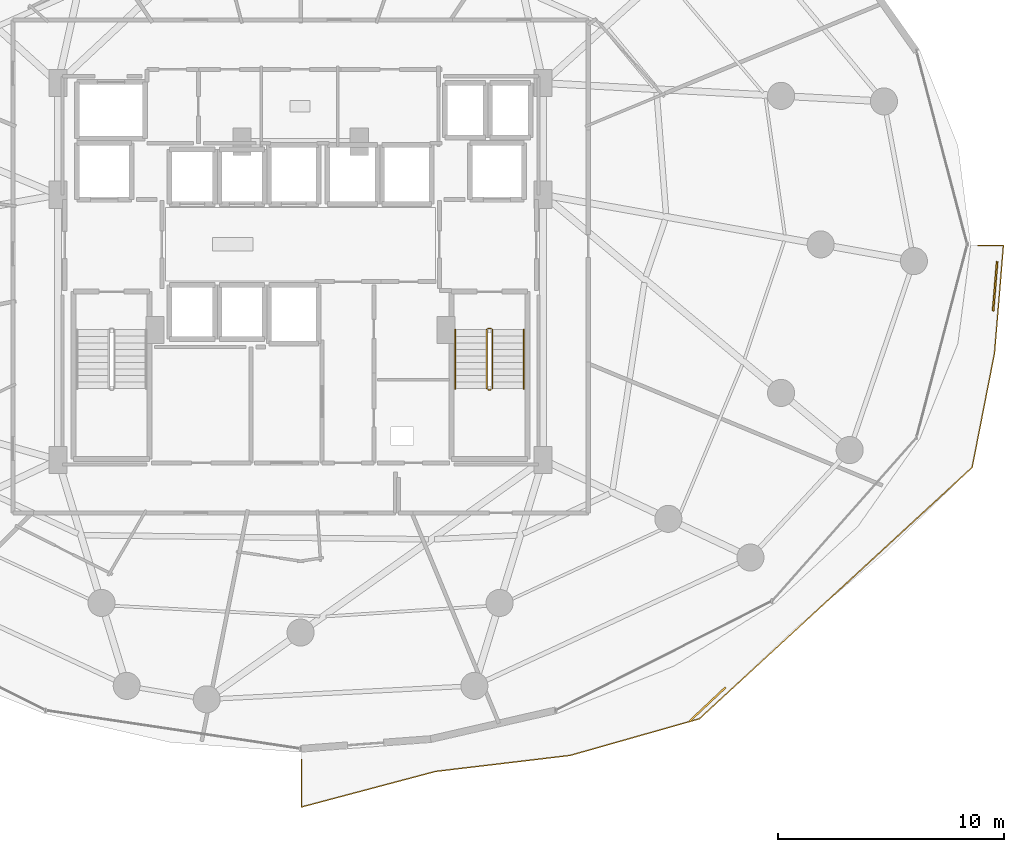
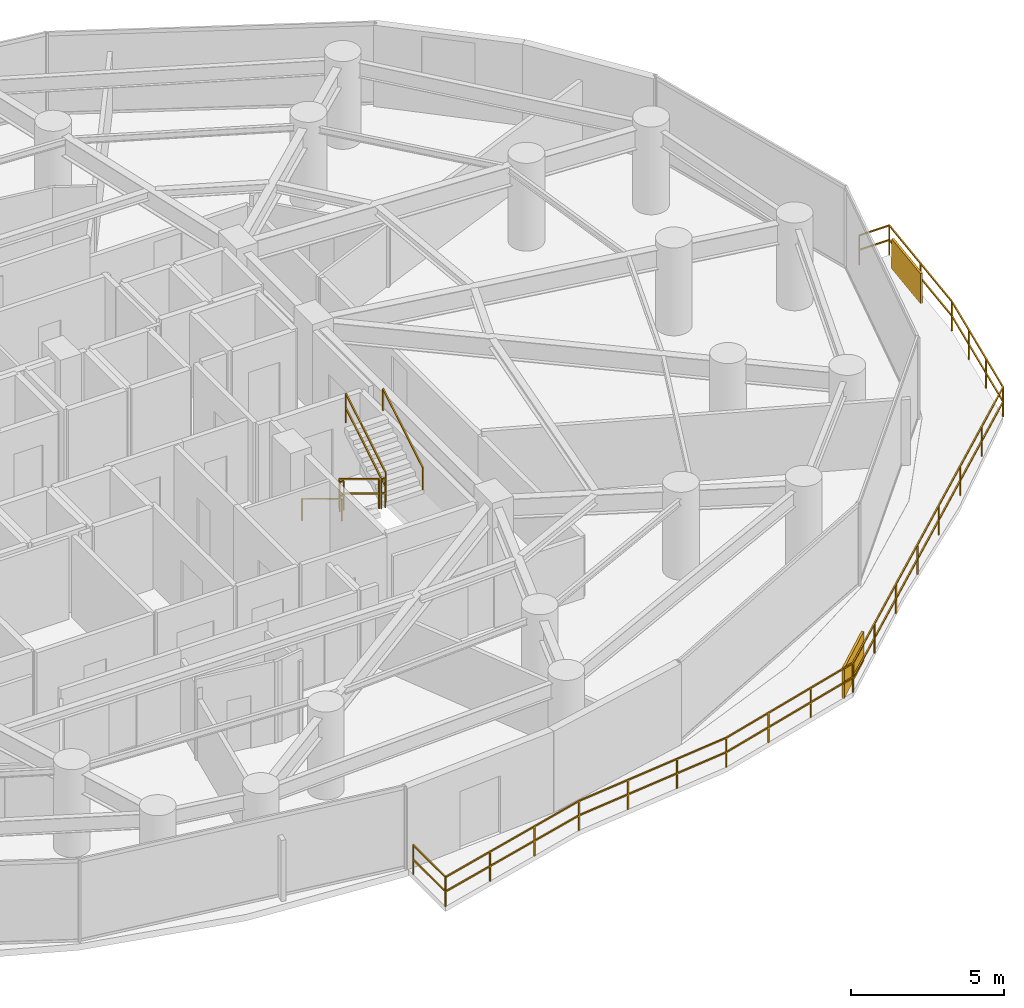
# One storey, part 33 of 35: 8 railings, 2 shading devices.
"""IFC4 building model written with IfcOpenShell, lengths in metres."""

from ifc_helpers import new_model, si_unit, direction, frame, origin, origin_2d, place, context, subcontext, project, spatial, rectangle, extrude, material, type_object, element, save


model = new_model("IFC4")

# Units and contexts
model_context = context("Model", 3, precision=1e-05, world=origin(), true_north=direction((0.0, 1.0)))
body_context = subcontext(model_context, "Body", "Model", "MODEL_VIEW")
ifc_project = project(units=[si_unit("LENGTHUNIT", "METRE"), si_unit("AREAUNIT", "SQUARE_METRE"), si_unit("VOLUMEUNIT", "CUBIC_METRE"), si_unit("PLANEANGLEUNIT", "RADIAN"), si_unit("MASSUNIT", "GRAM", prefix="KILO")], contexts=[model_context])

# Site, building, storey
site_placement = place(None, origin())
site = spatial("IfcSite", under=ifc_project, at=site_placement, CompositionType="ELEMENT")
building_placement = place(site_placement, origin())
building = spatial("IfcBuilding", under=site, at=building_placement, Name="Vorneva Point Tower", CompositionType="ELEMENT")
storey_placement = place(building_placement, frame((0.0, 0.0, 52.0)))
storey = spatial("IfcBuildingStorey", under=building, at=storey_placement, Name="L13", CompositionType="ELEMENT", Elevation=52.0)

# Railings
ifc_material_1 = material(Name="Pale anodised aluminium", Category="aluminium")
railing_type_1 = type_object("IfcRailingType", Name="RL-BAL-1200", PredefinedType="BALUSTRADE", material=ifc_material_1)
railing_1_placement = place(storey_placement, frame((68.75634765625, 21.183349609375, 0.0)))
element("IfcRailing", 1, at=railing_1_placement, inside=storey, type_object=railing_type_1, Name="L13 Wave Balcony Balustrade SE.1", PredefinedType="BALUSTRADE", context=body_context, shape_type="SweptSolid", body=[
    extrude(rectangle(XDim=0.048095703125, YDim=0.048095703125, at=origin_2d()), frame((0.0, 0.0, 1.17578125), z_axis=(0.082487850113, 0.996592070299, 0.0), x_axis=(-0.996592070299, 0.082487850113, 0.0)), (0.0, 0.0, 1.0), 4.782958984375),
    extrude(rectangle(XDim=0.048095703125, YDim=0.048095703125, at=origin_2d()), frame((0.0, 0.0, 0.60009765625), z_axis=(0.082487850113, 0.996592070299, 0.0), x_axis=(-0.996592070299, 0.082487850113, 0.0)), (0.0, 0.0, 1.0), 4.782958984375),
    extrude(rectangle(XDim=0.048095703125, YDim=0.048095703125, at=origin_2d()), frame((0.39453125, 4.7666015625, 1.17578125), z_axis=(-1.0, 0.0, 0.0), x_axis=(0.0, -1.0, 0.0)), (0.0, 0.0, 1.0), 1.134765625),
    extrude(rectangle(XDim=0.048095703125, YDim=0.048095703125, at=origin_2d()), frame((0.39453125, 4.7666015625, 0.60009765625), z_axis=(-1.0, 0.0, 0.0), x_axis=(0.0, -1.0, 0.0)), (0.0, 0.0, 1.0), 1.134765625),
    extrude(rectangle(XDim=0.0419921875, YDim=0.0419921875, at=origin_2d()), origin(), (0.0, 0.0, 1.0), 1.15185546875),
    extrude(rectangle(XDim=0.0419921875, YDim=0.0419921875, at=origin_2d()), frame((0.197265625, 2.38330078125, 0.0)), (0.0, 0.0, 1.0), 1.15185546875),
    extrude(rectangle(XDim=0.0419921875, YDim=0.0419921875, at=origin_2d()), frame((0.39453125, 4.7666015625, 0.0)), (0.0, 0.0, 1.0), 1.15185546875),
    extrude(rectangle(XDim=0.0419921875, YDim=0.0419921875, at=origin_2d()), frame((-0.740234375, 4.7666015625, 0.0)), (0.0, 0.0, 1.0), 1.15185546875),
])
railing_2_placement = place(storey_placement, frame((38.050048828125, 3.182861328125, 0.0)))
element("IfcRailing", 2, at=railing_2_placement, inside=storey, type_object=railing_type_1, Name="L13 Wave Balcony Balustrade SE.2", PredefinedType="BALUSTRADE", context=body_context, shape_type="SweptSolid", body=[
    extrude(rectangle(XDim=0.048095703125, YDim=0.048095703125, at=origin_2d()), frame((0.0, 0.0, 1.17578125), z_axis=(0.0, -1.0, 0.0), x_axis=(1.0, 0.0, 0.0)), (0.0, 0.0, 1.0), 2.114501953125),
    extrude(rectangle(XDim=0.048095703125, YDim=0.048095703125, at=origin_2d()), frame((0.0, 0.0, 0.60009765625), z_axis=(0.0, -1.0, 0.0), x_axis=(1.0, 0.0, 0.0)), (0.0, 0.0, 1.0), 2.114501953125),
    extrude(rectangle(XDim=0.048095703125, YDim=0.048095703125, at=origin_2d()), frame((0.0, -2.114501953125, 1.17578125), z_axis=(0.966571808825, 0.256396057663, 0.0), x_axis=(-0.256396057663, 0.966571808825, 0.0)), (0.0, 0.0, 1.0), 6.1435546875),
    extrude(rectangle(XDim=0.048095703125, YDim=0.048095703125, at=origin_2d()), frame((0.0, -2.114501953125, 0.60009765625), z_axis=(0.966571808825, 0.256396057663, 0.0), x_axis=(-0.256396057663, 0.966571808825, 0.0)), (0.0, 0.0, 1.0), 6.1435546875),
    extrude(rectangle(XDim=0.048095703125, YDim=0.048095703125, at=origin_2d()), frame((5.938232421875, -0.539306640625, 1.17578125), z_axis=(0.993006335019, 0.118061080008, 0.0), x_axis=(-0.118061080008, 0.993006335019, 0.0)), (0.0, 0.0, 1.0), 6.003173828125),
    extrude(rectangle(XDim=0.048095703125, YDim=0.048095703125, at=origin_2d()), frame((5.938232421875, -0.539306640625, 0.60009765625), z_axis=(0.993006335019, 0.118061080008, 0.0), x_axis=(-0.118061080008, 0.993006335019, 0.0)), (0.0, 0.0, 1.0), 6.003173828125),
    extrude(rectangle(XDim=0.048095703125, YDim=0.048095703125, at=origin_2d()), frame((11.8994140625, 0.16943359375, 1.17578125), z_axis=(0.962077917803, 0.272774779032, 0.0), x_axis=(-0.272774779032, 0.962077917803, 0.0)), (0.0, 0.0, 1.0), 5.94921875),
    extrude(rectangle(XDim=0.048095703125, YDim=0.048095703125, at=origin_2d()), frame((11.8994140625, 0.16943359375, 0.60009765625), z_axis=(0.962077917803, 0.272774779032, 0.0), x_axis=(-0.272774779032, 0.962077917803, 0.0)), (0.0, 0.0, 1.0), 5.94921875),
    extrude(rectangle(XDim=0.048095703125, YDim=0.048095703125, at=origin_2d()), frame((17.623046875, 1.792236328125, 1.17578125), z_axis=(0.73534569508, 0.677692193202, 0.0), x_axis=(-0.677692193202, 0.73534569508, 0.0)), (0.0, 0.0, 1.0), 16.443115234375),
    extrude(rectangle(XDim=0.048095703125, YDim=0.048095703125, at=origin_2d()), frame((17.623046875, 1.792236328125, 0.60009765625), z_axis=(0.73534569508, 0.677692193202, 0.0), x_axis=(-0.677692193202, 0.73534569508, 0.0)), (0.0, 0.0, 1.0), 16.443115234375),
    extrude(rectangle(XDim=0.048095703125, YDim=0.048095703125, at=origin_2d()), frame((29.71435546875, 12.935546875, 1.17578125), z_axis=(0.192193840782, 0.981356982736, 0.0), x_axis=(-0.981356982736, 0.192193840782, 0.0)), (0.0, 0.0, 1.0), 5.1611328125),
    extrude(rectangle(XDim=0.048095703125, YDim=0.048095703125, at=origin_2d()), frame((29.71435546875, 12.935546875, 0.60009765625), z_axis=(0.192193840782, 0.981356982736, 0.0), x_axis=(-0.981356982736, 0.192193840782, 0.0)), (0.0, 0.0, 1.0), 5.1611328125),
    extrude(rectangle(XDim=0.0419921875, YDim=0.0419921875, at=origin_2d()), origin(), (0.0, 0.0, 1.0), 1.15185546875),
    extrude(rectangle(XDim=0.0419921875, YDim=0.0419921875, at=origin_2d()), frame((0.0, -2.114501953125, 0.0)), (0.0, 0.0, 1.0), 1.15185546875),
    extrude(rectangle(XDim=0.0419921875, YDim=0.0419921875, at=origin_2d()), frame((1.9794921875, -1.58935546875, 0.0)), (0.0, 0.0, 1.0), 1.15185546875),
    extrude(rectangle(XDim=0.0419921875, YDim=0.0419921875, at=origin_2d()), frame((3.958740234375, -1.064453125, 0.0)), (0.0, 0.0, 1.0), 1.15185546875),
    extrude(rectangle(XDim=0.0419921875, YDim=0.0419921875, at=origin_2d()), frame((5.938232421875, -0.539306640625, 0.0)), (0.0, 0.0, 1.0), 1.15185546875),
    extrude(rectangle(XDim=0.0419921875, YDim=0.0419921875, at=origin_2d()), frame((7.92529296875, -0.302978515625, 0.0)), (0.0, 0.0, 1.0), 1.15185546875),
    extrude(rectangle(XDim=0.0419921875, YDim=0.0419921875, at=origin_2d()), frame((9.912353515625, -0.06689453125, 0.0)), (0.0, 0.0, 1.0), 1.15185546875),
    extrude(rectangle(XDim=0.0419921875, YDim=0.0419921875, at=origin_2d()), frame((11.8994140625, 0.16943359375, 0.0)), (0.0, 0.0, 1.0), 1.15185546875),
    extrude(rectangle(XDim=0.0419921875, YDim=0.0419921875, at=origin_2d()), frame((13.807373046875, 0.71044921875, 0.0)), (0.0, 0.0, 1.0), 1.15185546875),
    extrude(rectangle(XDim=0.0419921875, YDim=0.0419921875, at=origin_2d()), frame((15.715087890625, 1.251220703125, 0.0)), (0.0, 0.0, 1.0), 1.15185546875),
    extrude(rectangle(XDim=0.0419921875, YDim=0.0419921875, at=origin_2d()), frame((17.623046875, 1.792236328125, 0.0)), (0.0, 0.0, 1.0), 1.15185546875),
    extrude(rectangle(XDim=0.0419921875, YDim=0.0419921875, at=origin_2d()), frame((19.350341796875, 3.384033203125, 0.0)), (0.0, 0.0, 1.0), 1.15185546875),
    extrude(rectangle(XDim=0.0419921875, YDim=0.0419921875, at=origin_2d()), frame((21.07763671875, 4.97607421875, 0.0)), (0.0, 0.0, 1.0), 1.15185546875),
    extrude(rectangle(XDim=0.0419921875, YDim=0.0419921875, at=origin_2d()), frame((22.804931640625, 6.56787109375, 0.0)), (0.0, 0.0, 1.0), 1.15185546875),
    extrude(rectangle(XDim=0.0419921875, YDim=0.0419921875, at=origin_2d()), frame((24.532470703125, 8.159912109375, 0.0)), (0.0, 0.0, 1.0), 1.15185546875),
    extrude(rectangle(XDim=0.0419921875, YDim=0.0419921875, at=origin_2d()), frame((26.259765625, 9.751708984375, 0.0)), (0.0, 0.0, 1.0), 1.15185546875),
    extrude(rectangle(XDim=0.0419921875, YDim=0.0419921875, at=origin_2d()), frame((27.987060546875, 11.34375, 0.0)), (0.0, 0.0, 1.0), 1.15185546875),
    extrude(rectangle(XDim=0.0419921875, YDim=0.0419921875, at=origin_2d()), frame((29.71435546875, 12.935546875, 0.0)), (0.0, 0.0, 1.0), 1.15185546875),
    extrude(rectangle(XDim=0.0419921875, YDim=0.0419921875, at=origin_2d()), frame((30.044921875, 14.623779296875, 0.0)), (0.0, 0.0, 1.0), 1.15185546875),
    extrude(rectangle(XDim=0.0419921875, YDim=0.0419921875, at=origin_2d()), frame((30.375732421875, 16.312255859375, 0.0)), (0.0, 0.0, 1.0), 1.15185546875),
    extrude(rectangle(XDim=0.0419921875, YDim=0.0419921875, at=origin_2d()), frame((30.706298828125, 18.00048828125, 0.0)), (0.0, 0.0, 1.0), 1.15185546875),
])
ifc_material_2 = material(Name="Brushed stainless steel S304", Category="steel")
railing_type_2 = type_object("IfcRailingType", Name="RL-HND-920", PredefinedType="HANDRAIL", material=ifc_material_2)
railing_3_placement = place(storey_placement, frame((44.85009765625, 22.219970703125, 0.175048828125)))
element("IfcRailing", 3, at=railing_3_placement, inside=storey, type_object=railing_type_2, Name="L13 ST2 stair handrail 1", PredefinedType="HANDRAIL", context=body_context, shape_type="SweptSolid", body=[
    extrude(rectangle(XDim=0.048095703125, YDim=0.048095703125, at=origin_2d()), frame((0.0, 0.0, 0.8759765625), z_axis=(0.0, -0.85618277418, 0.516673066065), x_axis=(1.0, 0.0, 0.0)), (0.0, 0.0, 1.0), 3.04833984375),
    extrude(rectangle(XDim=0.0419921875, YDim=0.0419921875, at=origin_2d()), origin(), (0.0, 0.0, 1.0), 0.851806640625),
    extrude(rectangle(XDim=0.0419921875, YDim=0.0419921875, at=origin_2d()), frame((0.0, -2.60986328125, 1.574951171875)), (0.0, 0.0, 1.0), 0.851806640625),
])
railing_4_placement = place(storey_placement, frame((47.89990234375, 19.610107421875, 1.925048828125)))
element("IfcRailing", 4, at=railing_4_placement, inside=storey, type_object=railing_type_2, Name="L13 ST2 stair handrail 2", PredefinedType="HANDRAIL", context=body_context, shape_type="SweptSolid", body=[
    extrude(rectangle(XDim=0.048095703125, YDim=0.048095703125, at=origin_2d()), frame((0.0, 0.0, 0.8759765625), z_axis=(0.0, 0.85618277418, 0.516673066065), x_axis=(-1.0, 0.0, 0.0)), (0.0, 0.0, 1.0), 3.04833984375),
    extrude(rectangle(XDim=0.0419921875, YDim=0.0419921875, at=origin_2d()), origin(), (0.0, 0.0, 1.0), 0.851806640625),
    extrude(rectangle(XDim=0.0419921875, YDim=0.0419921875, at=origin_2d()), frame((0.0, 2.60986328125, 1.574951171875)), (0.0, 0.0, 1.0), 0.851806640625),
])
railing_type_3 = type_object("IfcRailingType", Name="RL-STG-1100", PredefinedType="GUARDRAIL", material=ifc_material_2)
railing_5_placement = place(storey_placement, frame((46.25, 22.219970703125, 0.175048828125)))
element("IfcRailing", 5, at=railing_5_placement, inside=storey, type_object=railing_type_3, Name="L13 ST2 stair guard 1", PredefinedType="GUARDRAIL", context=body_context, shape_type="SweptSolid", body=[
    extrude(rectangle(XDim=0.048095703125, YDim=0.048095703125, at=origin_2d()), frame((0.0, 0.0, 1.17578125), z_axis=(0.0, -0.85618277418, 0.516673066065), x_axis=(1.0, 0.0, 0.0)), (0.0, 0.0, 1.0), 3.04833984375),
    extrude(rectangle(XDim=0.048095703125, YDim=0.048095703125, at=origin_2d()), frame((0.0, 0.0, 0.60009765625), z_axis=(0.0, -0.85618277418, 0.516673066065), x_axis=(1.0, 0.0, 0.0)), (0.0, 0.0, 1.0), 3.04833984375),
    extrude(rectangle(XDim=0.0419921875, YDim=0.0419921875, at=origin_2d()), origin(), (0.0, 0.0, 1.0), 1.15185546875),
    extrude(rectangle(XDim=0.0419921875, YDim=0.0419921875, at=origin_2d()), frame((0.0, -2.60986328125, 1.574951171875)), (0.0, 0.0, 1.0), 1.15185546875),
])
railing_6_placement = place(storey_placement, frame((46.300048828125, 19.56005859375, 1.75)))
element("IfcRailing", 6, at=railing_6_placement, inside=storey, type_object=railing_type_3, Name="L13 ST2 stair guard 2", PredefinedType="GUARDRAIL", context=body_context, shape_type="SweptSolid", body=[
    extrude(rectangle(XDim=0.048095703125, YDim=0.048095703125, at=origin_2d()), frame((0.0, 0.0, 1.17578125), z_axis=(1.0, 0.0, 0.0), x_axis=(0.0, 1.0, 0.0)), (0.0, 0.0, 1.0), 0.14990234375),
    extrude(rectangle(XDim=0.048095703125, YDim=0.048095703125, at=origin_2d()), frame((0.0, 0.0, 0.60009765625), z_axis=(1.0, 0.0, 0.0), x_axis=(0.0, 1.0, 0.0)), (0.0, 0.0, 1.0), 0.14990234375),
    extrude(rectangle(XDim=0.0419921875, YDim=0.0419921875, at=origin_2d()), origin(), (0.0, 0.0, 1.0), 1.15185546875),
    extrude(rectangle(XDim=0.0419921875, YDim=0.0419921875, at=origin_2d()), frame((0.14990234375, 0.0, 0.0)), (0.0, 0.0, 1.0), 1.15185546875),
])
railing_7_placement = place(storey_placement, frame((46.5, 19.610107421875, 1.925048828125)))
element("IfcRailing", 7, at=railing_7_placement, inside=storey, type_object=railing_type_3, Name="L13 ST2 stair guard 3", PredefinedType="GUARDRAIL", context=body_context, shape_type="SweptSolid", body=[
    extrude(rectangle(XDim=0.048095703125, YDim=0.048095703125, at=origin_2d()), frame((0.0, 0.0, 1.17578125), z_axis=(0.0, 0.85618277418, 0.516673066065), x_axis=(-1.0, 0.0, 0.0)), (0.0, 0.0, 1.0), 3.04833984375),
    extrude(rectangle(XDim=0.048095703125, YDim=0.048095703125, at=origin_2d()), frame((0.0, 0.0, 0.60009765625), z_axis=(0.0, 0.85618277418, 0.516673066065), x_axis=(-1.0, 0.0, 0.0)), (0.0, 0.0, 1.0), 3.04833984375),
    extrude(rectangle(XDim=0.0419921875, YDim=0.0419921875, at=origin_2d()), origin(), (0.0, 0.0, 1.0), 1.15185546875),
    extrude(rectangle(XDim=0.0419921875, YDim=0.0419921875, at=origin_2d()), frame((0.0, 2.60986328125, 1.574951171875)), (0.0, 0.0, 1.0), 1.15185546875),
])
railing_8_placement = place(storey_placement, frame((46.300048828125, 22.27001953125, 0.0)))
element("IfcRailing", 8, at=railing_8_placement, inside=storey, type_object=railing_type_3, Name="L13 ST2 stair guard 4", PredefinedType="GUARDRAIL", context=body_context, shape_type="SweptSolid", body=[
    extrude(rectangle(XDim=0.048095703125, YDim=0.048095703125, at=origin_2d()), frame((0.0, 0.0, 1.17578125), z_axis=(1.0, 0.0, 0.0), x_axis=(0.0, 1.0, 0.0)), (0.0, 0.0, 1.0), 0.14990234375),
    extrude(rectangle(XDim=0.048095703125, YDim=0.048095703125, at=origin_2d()), frame((0.0, 0.0, 0.60009765625), z_axis=(1.0, 0.0, 0.0), x_axis=(0.0, 1.0, 0.0)), (0.0, 0.0, 1.0), 0.14990234375),
    extrude(rectangle(XDim=0.0419921875, YDim=0.0419921875, at=origin_2d()), origin(), (0.0, 0.0, 1.0), 1.15185546875),
    extrude(rectangle(XDim=0.0419921875, YDim=0.0419921875, at=origin_2d()), frame((0.14990234375, 0.0, 0.0)), (0.0, 0.0, 1.0), 1.15185546875),
])

# Shading devices
shading_device_type = type_object("IfcShadingDeviceType", Name="SHD-JAL-1200", PredefinedType="JALOUSIE", material=ifc_material_1)
for number, where, z_axis, x_axis, name in (
    (9, (68.78076171875, 24.145263671875, -0.02001953125), (0.0, 0.0, 1.0), (0.082495123145, 0.996591468284, 0.0), "L13 Balcony Vertical-Greenery Planter Screen SE.1"),
    (10, (56.03759765625, 5.61962890625, -0.02001953125), (0.0, 0.0, 1.0), (0.728538369925, 0.685004995271, 0.0), "L13 Balcony Vertical-Greenery Planter Screen SE.2"),
):
    element("IfcShadingDevice", number, at=place(storey_placement, frame(where, z_axis=z_axis, x_axis=x_axis)), inside=storey, type_object=shading_device_type, Name=name, PredefinedType="JALOUSIE", context=body_context, shape_type="SweptSolid", body=[
        extrude(rectangle(XDim=2.199951171875, YDim=0.080078125, at=origin_2d()), origin(), (0.0, 0.0, 1.0), 1.199951171875),
    ])

save(model, "model.ifc")
